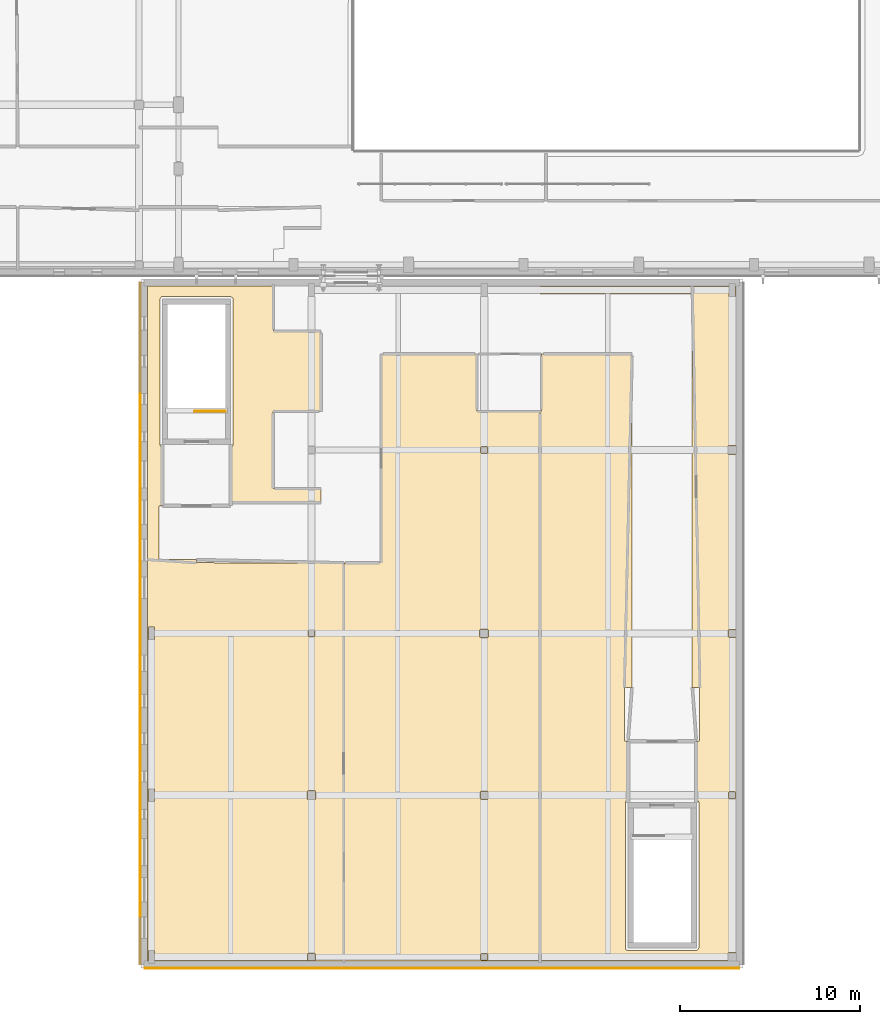
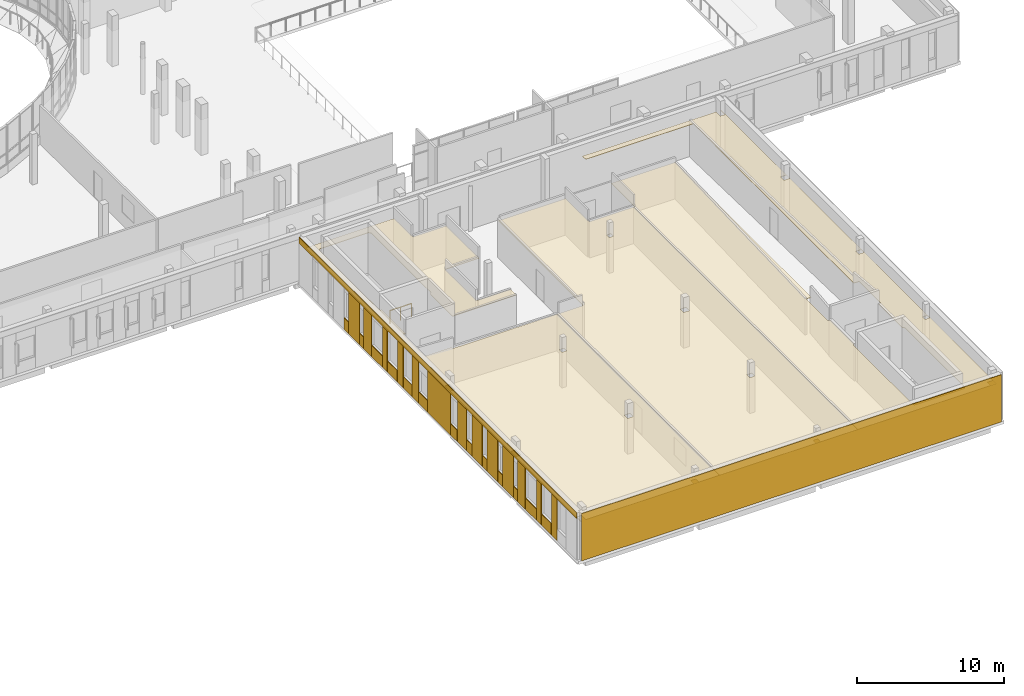
# One storey, part 68 of 84: 31 coverings, 1 railing.
"""IFC4 building model written with IfcOpenShell, lengths in metres."""

from ifc_helpers import new_model, si_unit, direction, frame, origin, origin_2d, place, context, subcontext, project, spatial, polyline, rectangle, circle, outline, extrude, material, layer, layer_set, type_object, element, save


model = new_model("IFC4")

# Units and contexts
model_context = context("Model", 3, precision=1e-05, world=origin(), true_north=direction((0.0, 1.0)))
body_context = subcontext(model_context, "Body", "Model", "MODEL_VIEW")
ifc_project = project(units=[si_unit("LENGTHUNIT", "METRE"), si_unit("AREAUNIT", "SQUARE_METRE"), si_unit("VOLUMEUNIT", "CUBIC_METRE"), si_unit("PLANEANGLEUNIT", "RADIAN"), si_unit("MASSUNIT", "GRAM", prefix="KILO")], contexts=[model_context])

# Site, building, storey
site_placement = place(None, origin())
site = spatial("IfcSite", under=ifc_project, at=site_placement, CompositionType="ELEMENT")
building_placement = place(site_placement, origin())
building = spatial("IfcBuilding", under=site, at=building_placement, Name="Mzevani Central Library", CompositionType="ELEMENT")
storey_placement = place(building_placement, frame((0.0, 0.0, 5.39990234375)))
storey = spatial("IfcBuildingStorey", under=building, at=storey_placement, Name="L01", CompositionType="ELEMENT", Elevation=5.39990234375)

# Railing
ifc_material_1 = material(Name="Brushed stainless steel rail", Category="steel")
railing_type = type_object("IfcRailingType", Name="Interior Gallery and Stair Guard 1100", PredefinedType="BALUSTRADE", material=ifc_material_1)
railing_placement = place(storey_placement, frame((116.800048828125, 34.949951171875, 0.0)))
element("IfcRailing", 1, at=railing_placement, inside=storey, type_object=railing_type, Name="L01 ST-11 top well guard 1", PredefinedType="BALUSTRADE", context=body_context, shape_type="SweptSolid", body=[
    extrude(circle(Radius=0.02392578125, at=origin_2d()), frame((0.0, 0.0, 1.076171875), z_axis=(-1.0, 0.0, 0.0), x_axis=(0.0, -1.0, 0.0)), (0.0, 0.0, 1.0), 1.699951171875),
    extrude(circle(Radius=0.02099609375, at=origin_2d()), origin(), (0.0, 0.0, 1.0), 1.052001953125),
    extrude(circle(Radius=0.02099609375, at=origin_2d()), frame((-0.85009765625, 0.0, 0.0)), (0.0, 0.0, 1.0), 1.052001953125),
    extrude(circle(Radius=0.02099609375, at=origin_2d()), frame((-1.699951171875, 0.0, 0.0)), (0.0, 0.0, 1.0), 1.052001953125),
])

# Coverings
ifc_material_2 = material(Name="Limestone ashlar cladding", Category="masonry")
ifc_layer_1 = layer(ifc_material_2, 0.050048828125, Name="Limestone Ashlar Spandrel Cladding")
ifc_layer_set_1 = layer_set([ifc_layer_1], Name="Limestone ashlar cladding")
covering_type_1 = type_object("IfcCoveringType", Name="Limestone Ashlar Spandrel Cladding", PredefinedType="CLADDING", material=ifc_layer_set_1)
covering_1_placement = place(storey_placement, frame((128.85009765625, 3.97607421875, 0.000244140625), z_axis=(0.0, 0.0, 1.0), x_axis=(-1.0, 0.0, 0.0)))
element("IfcCovering", 2, at=covering_1_placement, inside=storey, type_object=covering_type_1, Name="L01 Warm-White Facade Cladding (EW4-V6-L01-0106)", PredefinedType="CLADDING", context=body_context, shape_type="SweptSolid", body=[
    extrude(rectangle(XDim=33.080078125, YDim=0.050048828125, at=origin_2d()), origin(), (0.0, 0.0, 1.0), 3.93994140625),
])
covering_2_placement = place(storey_placement, frame((112.075927734375, 23.14990234375, 3.4501953125), z_axis=(0.0, 0.0, 1.0), x_axis=(0.0, 1.0, 0.0)))
element("IfcCovering", 3, at=covering_2_placement, inside=storey, type_object=covering_type_1, Name="L01 Warm-White Facade Spandrel (EW4-V6-L01-0107)", PredefinedType="CLADDING", context=body_context, shape_type="SweptSolid", body=[
    extrude(rectangle(XDim=37.8798828125, YDim=0.050048828125, at=origin_2d()), origin(), (0.0, 0.0, 1.0), 0.489990234375),
])
covering_3_placement = place(storey_placement, frame((112.075927734375, 7.25244140625, 0.0), z_axis=(0.0, 0.0, 1.0), x_axis=(0.0, 1.0, 0.0)))
element("IfcCovering", 4, at=covering_3_placement, inside=storey, type_object=covering_type_1, Name="L01 Warm-White Facade Pier 3 (EW4-V6-L01-0107)", PredefinedType="CLADDING", context=body_context, shape_type="SweptSolid", body=[
    extrude(rectangle(XDim=0.784912109375, YDim=0.050048828125, at=origin_2d()), origin(), (0.0, 0.0, 1.0), 3.449951171875),
])
covering_4_placement = place(storey_placement, frame((112.075927734375, 8.340087890625, 0.0), z_axis=(0.0, 0.0, 1.0), x_axis=(0.0, 1.0, 0.0)))
element("IfcCovering", 5, at=covering_4_placement, inside=storey, type_object=covering_type_1, Name="L01 Warm-White Sill Cladding 4 (EW4-V6-L01-0107)", PredefinedType="CLADDING", context=body_context, shape_type="SweptSolid", body=[
    extrude(rectangle(XDim=1.35009765625, YDim=0.050048828125, at=origin_2d()), origin(), (0.0, 0.0, 1.0), 0.949951171875),
])
covering_5_placement = place(storey_placement, frame((112.075927734375, 9.3525390625, 0.0), z_axis=(0.0, 0.0, 1.0), x_axis=(0.0, 1.0, 0.0)))
element("IfcCovering", 6, at=covering_5_placement, inside=storey, type_object=covering_type_1, Name="L01 Warm-White Facade Pier 5 (EW4-V6-L01-0107)", PredefinedType="CLADDING", context=body_context, shape_type="SweptSolid", body=[
    extrude(rectangle(XDim=0.635009765625, YDim=0.050048828125, at=origin_2d()), origin(), (0.0, 0.0, 1.0), 3.449951171875),
])
covering_6_placement = place(storey_placement, frame((112.075927734375, 10.43994140625, 0.0), z_axis=(0.0, 0.0, 1.0), x_axis=(0.0, 1.0, 0.0)))
element("IfcCovering", 7, at=covering_6_placement, inside=storey, type_object=covering_type_1, Name="L01 Warm-White Sill Cladding 6 (EW4-V6-L01-0107)", PredefinedType="CLADDING", context=body_context, shape_type="SweptSolid", body=[
    extrude(rectangle(XDim=1.5, YDim=0.050048828125, at=origin_2d()), origin(), (0.0, 0.0, 1.0), 0.949951171875),
])
covering_7_placement = place(storey_placement, frame((112.075927734375, 11.7275390625, 0.0), z_axis=(0.0, 0.0, 1.0), x_axis=(0.0, 1.0, 0.0)))
element("IfcCovering", 8, at=covering_7_placement, inside=storey, type_object=covering_type_1, Name="L01 Warm-White Facade Pier 7 (EW4-V6-L01-0107)", PredefinedType="CLADDING", context=body_context, shape_type="SweptSolid", body=[
    extrude(rectangle(XDim=1.034912109375, YDim=0.050048828125, at=origin_2d()), origin(), (0.0, 0.0, 1.0), 3.449951171875),
])
covering_8_placement = place(storey_placement, frame((112.075927734375, 12.5400390625, 0.0), z_axis=(0.0, 0.0, 1.0), x_axis=(0.0, 1.0, 0.0)))
element("IfcCovering", 9, at=covering_8_placement, inside=storey, type_object=covering_type_1, Name="L01 Warm-White Sill Cladding 8 (EW4-V6-L01-0107)", PredefinedType="CLADDING", context=body_context, shape_type="SweptSolid", body=[
    extrude(rectangle(XDim=0.550048828125, YDim=0.050048828125, at=origin_2d()), origin(), (0.0, 0.0, 1.0), 0.949951171875),
])
covering_9_placement = place(storey_placement, frame((112.075927734375, 13.577392578125, 0.0), z_axis=(0.0, 0.0, 1.0), x_axis=(0.0, 1.0, 0.0)))
element("IfcCovering", 10, at=covering_9_placement, inside=storey, type_object=covering_type_1, Name="L01 Warm-White Facade Pier 9 (EW4-V6-L01-0107)", PredefinedType="CLADDING", context=body_context, shape_type="SweptSolid", body=[
    extrude(rectangle(XDim=1.485107421875, YDim=0.050048828125, at=origin_2d()), origin(), (0.0, 0.0, 1.0), 3.449951171875),
])
covering_10_placement = place(storey_placement, frame((112.075927734375, 14.639892578125, 0.0), z_axis=(0.0, 0.0, 1.0), x_axis=(0.0, 1.0, 0.0)))
element("IfcCovering", 11, at=covering_10_placement, inside=storey, type_object=covering_type_1, Name="L01 Warm-White Sill Cladding 10 (EW4-V6-L01-0107)", PredefinedType="CLADDING", context=body_context, shape_type="SweptSolid", body=[
    extrude(rectangle(XDim=0.60009765625, YDim=0.050048828125, at=origin_2d()), origin(), (0.0, 0.0, 1.0), 0.949951171875),
])
covering_11_placement = place(storey_placement, frame((112.075927734375, 15.677490234375, 0.0), z_axis=(0.0, 0.0, 1.0), x_axis=(0.0, 1.0, 0.0)))
element("IfcCovering", 12, at=covering_11_placement, inside=storey, type_object=covering_type_1, Name="L01 Warm-White Facade Pier 11 (EW4-V6-L01-0107)", PredefinedType="CLADDING", context=body_context, shape_type="SweptSolid", body=[
    extrude(rectangle(XDim=1.43505859375, YDim=0.050048828125, at=origin_2d()), origin(), (0.0, 0.0, 1.0), 3.449951171875),
])
covering_12_placement = place(storey_placement, frame((112.075927734375, 16.739990234375, 0.0), z_axis=(0.0, 0.0, 1.0), x_axis=(0.0, 1.0, 0.0)))
element("IfcCovering", 13, at=covering_12_placement, inside=storey, type_object=covering_type_1, Name="L01 Warm-White Sill Cladding 12 (EW4-V6-L01-0107)", PredefinedType="CLADDING", context=body_context, shape_type="SweptSolid", body=[
    extrude(rectangle(XDim=0.64990234375, YDim=0.050048828125, at=origin_2d()), origin(), (0.0, 0.0, 1.0), 0.949951171875),
])
covering_13_placement = place(storey_placement, frame((112.075927734375, 17.764892578125, 0.0), z_axis=(0.0, 0.0, 1.0), x_axis=(0.0, 1.0, 0.0)))
element("IfcCovering", 14, at=covering_13_placement, inside=storey, type_object=covering_type_1, Name="L01 Warm-White Facade Pier 13 (EW4-V6-L01-0107)", PredefinedType="CLADDING", context=body_context, shape_type="SweptSolid", body=[
    extrude(rectangle(XDim=1.360107421875, YDim=0.050048828125, at=origin_2d()), origin(), (0.0, 0.0, 1.0), 3.449951171875),
])
covering_14_placement = place(storey_placement, frame((112.075927734375, 18.840087890625, 0.0), z_axis=(0.0, 0.0, 1.0), x_axis=(0.0, 1.0, 0.0)))
element("IfcCovering", 15, at=covering_14_placement, inside=storey, type_object=covering_type_1, Name="L01 Warm-White Sill Cladding 14 (EW4-V6-L01-0107)", PredefinedType="CLADDING", context=body_context, shape_type="SweptSolid", body=[
    extrude(rectangle(XDim=0.75, YDim=0.050048828125, at=origin_2d()), origin(), (0.0, 0.0, 1.0), 0.949951171875),
])
covering_15_placement = place(storey_placement, frame((112.075927734375, 19.8525390625, 0.0), z_axis=(0.0, 0.0, 1.0), x_axis=(0.0, 1.0, 0.0)))
element("IfcCovering", 16, at=covering_15_placement, inside=storey, type_object=covering_type_1, Name="L01 Warm-White Facade Pier 15 (EW4-V6-L01-0107)", PredefinedType="CLADDING", context=body_context, shape_type="SweptSolid", body=[
    extrude(rectangle(XDim=1.235107421875, YDim=0.050048828125, at=origin_2d()), origin(), (0.0, 0.0, 1.0), 3.449951171875),
])
covering_16_placement = place(storey_placement, frame((112.075927734375, 20.93994140625, 0.0), z_axis=(0.0, 0.0, 1.0), x_axis=(0.0, 1.0, 0.0)))
element("IfcCovering", 17, at=covering_16_placement, inside=storey, type_object=covering_type_1, Name="L01 Warm-White Sill Cladding 16 (EW4-V6-L01-0107)", PredefinedType="CLADDING", context=body_context, shape_type="SweptSolid", body=[
    extrude(rectangle(XDim=0.89990234375, YDim=0.050048828125, at=origin_2d()), origin(), (0.0, 0.0, 1.0), 0.949951171875),
])
covering_17_placement = place(storey_placement, frame((112.075927734375, 22.965087890625, 0.0), z_axis=(0.0, 0.0, 1.0), x_axis=(0.0, 1.0, 0.0)))
element("IfcCovering", 18, at=covering_17_placement, inside=storey, type_object=covering_type_1, Name="L01 Warm-White Facade Pier 17 (EW4-V6-L01-0107)", PredefinedType="CLADDING", context=body_context, shape_type="SweptSolid", body=[
    extrude(rectangle(XDim=3.110107421875, YDim=0.050048828125, at=origin_2d()), origin(), (0.0, 0.0, 1.0), 3.449951171875),
])
covering_18_placement = place(storey_placement, frame((112.075927734375, 25.139892578125, 0.0), z_axis=(0.0, 0.0, 1.0), x_axis=(0.0, 1.0, 0.0)))
element("IfcCovering", 19, at=covering_18_placement, inside=storey, type_object=covering_type_1, Name="L01 Warm-White Sill Cladding 18 (EW4-V6-L01-0107)", PredefinedType="CLADDING", context=body_context, shape_type="SweptSolid", body=[
    extrude(rectangle(XDim=1.199951171875, YDim=0.050048828125, at=origin_2d()), origin(), (0.0, 0.0, 1.0), 0.949951171875),
])
covering_19_placement = place(storey_placement, frame((112.075927734375, 26.18994140625, 0.0), z_axis=(0.0, 0.0, 1.0), x_axis=(0.0, 1.0, 0.0)))
element("IfcCovering", 20, at=covering_19_placement, inside=storey, type_object=covering_type_1, Name="L01 Warm-White Facade Pier 19 (EW4-V6-L01-0107)", PredefinedType="CLADDING", context=body_context, shape_type="SweptSolid", body=[
    extrude(rectangle(XDim=0.860107421875, YDim=0.050048828125, at=origin_2d()), origin(), (0.0, 0.0, 1.0), 3.449951171875),
])
covering_20_placement = place(storey_placement, frame((112.075927734375, 27.239990234375, 0.0), z_axis=(0.0, 0.0, 1.0), x_axis=(0.0, 1.0, 0.0)))
element("IfcCovering", 21, at=covering_20_placement, inside=storey, type_object=covering_type_1, Name="L01 Warm-White Sill Cladding 20 (EW4-V6-L01-0107)", PredefinedType="CLADDING", context=body_context, shape_type="SweptSolid", body=[
    extrude(rectangle(XDim=1.199951171875, YDim=0.050048828125, at=origin_2d()), origin(), (0.0, 0.0, 1.0), 0.949951171875),
])
covering_21_placement = place(storey_placement, frame((112.075927734375, 28.25244140625, 0.0), z_axis=(0.0, 0.0, 1.0), x_axis=(0.0, 1.0, 0.0)))
element("IfcCovering", 22, at=covering_21_placement, inside=storey, type_object=covering_type_1, Name="L01 Warm-White Facade Pier 21 (EW4-V6-L01-0107)", PredefinedType="CLADDING", context=body_context, shape_type="SweptSolid", body=[
    extrude(rectangle(XDim=0.784912109375, YDim=0.050048828125, at=origin_2d()), origin(), (0.0, 0.0, 1.0), 3.449951171875),
])
covering_22_placement = place(storey_placement, frame((112.075927734375, 29.340087890625, 0.0), z_axis=(0.0, 0.0, 1.0), x_axis=(0.0, 1.0, 0.0)))
element("IfcCovering", 23, at=covering_22_placement, inside=storey, type_object=covering_type_1, Name="L01 Warm-White Sill Cladding 22 (EW4-V6-L01-0107)", PredefinedType="CLADDING", context=body_context, shape_type="SweptSolid", body=[
    extrude(rectangle(XDim=1.35009765625, YDim=0.050048828125, at=origin_2d()), origin(), (0.0, 0.0, 1.0), 0.949951171875),
])
covering_23_placement = place(storey_placement, frame((112.075927734375, 30.3525390625, 0.0), z_axis=(0.0, 0.0, 1.0), x_axis=(0.0, 1.0, 0.0)))
element("IfcCovering", 24, at=covering_23_placement, inside=storey, type_object=covering_type_1, Name="L01 Warm-White Facade Pier 23 (EW4-V6-L01-0107)", PredefinedType="CLADDING", context=body_context, shape_type="SweptSolid", body=[
    extrude(rectangle(XDim=0.635009765625, YDim=0.050048828125, at=origin_2d()), origin(), (0.0, 0.0, 1.0), 3.449951171875),
])
covering_24_placement = place(storey_placement, frame((112.075927734375, 31.43994140625, 0.0), z_axis=(0.0, 0.0, 1.0), x_axis=(0.0, 1.0, 0.0)))
element("IfcCovering", 25, at=covering_24_placement, inside=storey, type_object=covering_type_1, Name="L01 Warm-White Sill Cladding 24 (EW4-V6-L01-0107)", PredefinedType="CLADDING", context=body_context, shape_type="SweptSolid", body=[
    extrude(rectangle(XDim=1.5, YDim=0.050048828125, at=origin_2d()), origin(), (0.0, 0.0, 1.0), 0.949951171875),
])
covering_25_placement = place(storey_placement, frame((112.075927734375, 32.7275390625, 0.0), z_axis=(0.0, 0.0, 1.0), x_axis=(0.0, 1.0, 0.0)))
element("IfcCovering", 26, at=covering_25_placement, inside=storey, type_object=covering_type_1, Name="L01 Warm-White Facade Pier 25 (EW4-V6-L01-0107)", PredefinedType="CLADDING", context=body_context, shape_type="SweptSolid", body=[
    extrude(rectangle(XDim=1.034912109375, YDim=0.050048828125, at=origin_2d()), origin(), (0.0, 0.0, 1.0), 3.449951171875),
])
covering_26_placement = place(storey_placement, frame((112.075927734375, 33.5400390625, 0.0), z_axis=(0.0, 0.0, 1.0), x_axis=(0.0, 1.0, 0.0)))
element("IfcCovering", 27, at=covering_26_placement, inside=storey, type_object=covering_type_1, Name="L01 Warm-White Sill Cladding 26 (EW4-V6-L01-0107)", PredefinedType="CLADDING", context=body_context, shape_type="SweptSolid", body=[
    extrude(rectangle(XDim=0.550048828125, YDim=0.050048828125, at=origin_2d()), origin(), (0.0, 0.0, 1.0), 0.949951171875),
])
covering_27_placement = place(storey_placement, frame((112.075927734375, 34.577392578125, 0.0), z_axis=(0.0, 0.0, 1.0), x_axis=(0.0, 1.0, 0.0)))
element("IfcCovering", 28, at=covering_27_placement, inside=storey, type_object=covering_type_1, Name="L01 Warm-White Facade Pier 27 (EW4-V6-L01-0107)", PredefinedType="CLADDING", context=body_context, shape_type="SweptSolid", body=[
    extrude(rectangle(XDim=1.485107421875, YDim=0.050048828125, at=origin_2d()), origin(), (0.0, 0.0, 1.0), 3.449951171875),
])
covering_28_placement = place(storey_placement, frame((112.075927734375, 35.639892578125, 0.0), z_axis=(0.0, 0.0, 1.0), x_axis=(0.0, 1.0, 0.0)))
element("IfcCovering", 29, at=covering_28_placement, inside=storey, type_object=covering_type_1, Name="L01 Warm-White Sill Cladding 28 (EW4-V6-L01-0107)", PredefinedType="CLADDING", context=body_context, shape_type="SweptSolid", body=[
    extrude(rectangle(XDim=0.60009765625, YDim=0.050048828125, at=origin_2d()), origin(), (0.0, 0.0, 1.0), 0.949951171875),
])
ifc_material_3 = material(Name="Mineral wool acoustic ceiling")
ifc_layer_2 = layer(ifc_material_3, 0.0400390625, Name="Perforated Timber Acoustic Ceiling")
ifc_layer_set_2 = layer_set([ifc_layer_2], Name="Mineral wool acoustic ceiling")
covering_type_2 = type_object("IfcCoveringType", Name="Perforated Timber Acoustic Ceiling", PredefinedType="CEILING", material=ifc_layer_set_2)
covering_29_placement = place(storey_placement, frame((0.0, 0.0, 2.9501953125)))
element("IfcCovering", 30, at=covering_29_placement, inside=storey, type_object=covering_type_2, Name="L01 Young Adult Reading Lounge Acoustic Ceiling", PredefinedType="CEILING", context=body_context, shape_type="SweptSolid", body=[
    extrude(outline(polyline([(122.1298828125, 34.949951171875), (119.4599609375, 34.93994140625), (119.4599609375, 30.659912109375), (122.122802734375, 30.65966796875), (122.127197265625, 29.872802734375), (117.094482421875, 29.87158203125), (117.090087890625, 32.949951171875), (117.198486328125, 33.001708984375), (117.239990234375, 33.10205078125), (117.2333984375, 41.238525390625), (117.0966796875, 41.340087890625), (113.261474609375, 41.33349609375), (113.159912109375, 41.19677734375), (113.159912109375, 33.10205078125), (113.20166015625, 33.001708984375), (113.31005859375, 32.949951171875), (113.31005859375, 29.699951171875), (113.110107421875, 29.68994140625), (113.110107421875, 26.7099609375), (115.200927734375, 26.7099609375), (115.2099609375, 26.530029296875), (123.40283203125, 26.52294921875), (123.4033203125, 4.3798828125), (112.875, 4.3701171875), (112.875, 4.949951171875), (112.52490234375, 4.949951171875), (112.52490234375, 4.3701171875), (112.47705078125, 4.370361328125), (112.4716796875, 41.925537109375), (119.480712890625, 41.92822265625), (119.485107421875, 39.409912109375), (122.129150390625, 39.40380859375), (122.1298828125, 34.949951171875)]), holes=[polyline([(112.875, 13.949951171875), (112.52490234375, 13.949951171875), (112.52490234375, 13.25), (112.875, 13.25), (112.875, 13.949951171875)]), polyline([(112.875, 22.25), (112.875, 22.949951171875), (112.52490234375, 22.949951171875), (112.52490234375, 22.25), (112.875, 22.25)]), polyline([(121.39990234375, 4.39990234375), (121.800048828125, 4.39990234375), (121.800048828125, 4.800048828125), (121.39990234375, 4.800048828125), (121.39990234375, 4.39990234375)]), polyline([(121.375, 13.824951171875), (121.375, 13.375), (121.824951171875, 13.375), (121.824951171875, 13.824951171875), (121.375, 13.824951171875)]), polyline([(121.77490234375, 22.77490234375), (121.425048828125, 22.77490234375), (121.425048828125, 22.425048828125), (121.77490234375, 22.425048828125), (121.77490234375, 22.77490234375)])]), origin(), (0.0, 0.0, 1.0), 0.039794921875),
])
covering_30_placement = place(storey_placement, frame((0.0, 0.0, 2.9501953125)))
element("IfcCovering", 31, at=covering_30_placement, inside=storey, type_object=covering_type_2, Name="L01 STEM Discovery Workshop Acoustic Ceiling", PredefinedType="CEILING", context=body_context, shape_type="SweptSolid", body=[
    extrude(outline(polyline([(125.47900390625, 38.14990234375), (130.793701171875, 38.149169921875), (130.800048828125, 34.949951171875), (134.31640625, 34.94287109375), (134.3095703125, 4.370361328125), (123.3837890625, 4.377197265625), (123.38330078125, 26.52099609375), (125.469970703125, 26.530029296875), (125.47900390625, 38.14990234375)]), holes=[polyline([(131.375, 4.425048828125), (131.375, 4.77490234375), (131.02490234375, 4.77490234375), (131.02490234375, 4.425048828125), (131.375, 4.425048828125)]), polyline([(131.0, 13.39990234375), (131.39990234375, 13.39990234375), (131.39990234375, 13.800048828125), (131.0, 13.800048828125), (131.0, 13.39990234375)]), polyline([(130.97509765625, 22.824951171875), (130.97509765625, 22.375), (131.425048828125, 22.375), (131.425048828125, 22.824951171875), (130.97509765625, 22.824951171875)]), polyline([(131.375, 32.97509765625), (131.02490234375, 32.97509765625), (131.02490234375, 32.625), (131.375, 32.625), (131.375, 32.97509765625)])]), origin(), (0.0, 0.0, 1.0), 0.039794921875),
])
covering_31_placement = place(storey_placement, frame((0.0, 0.0, 2.9501953125)))
element("IfcCovering", 32, at=covering_31_placement, inside=storey, type_object=covering_type_2, Name="L01 Children's Arts and Craft Studio Acoustic Ceiling", PredefinedType="CEILING", context=body_context, shape_type="SweptSolid", body=[
    extrude(outline(polyline([(134.389892578125, 38.14990234375), (139.4296875, 38.142822265625), (139.429931640625, 19.60009765625), (139.010009765625, 19.590087890625), (139.010009765625, 16.610107421875), (139.2099609375, 16.60009765625), (139.2099609375, 13.35009765625), (139.1015625, 13.29833984375), (139.06005859375, 13.197998046875), (139.060791015625, 5.08740234375), (139.101318359375, 5.001708984375), (139.201904296875, 4.9599609375), (143.03857421875, 4.966552734375), (143.139892578125, 5.103271484375), (143.139892578125, 13.197998046875), (143.098388671875, 13.29833984375), (142.989990234375, 13.35009765625), (142.989990234375, 16.60009765625), (143.18994140625, 16.610107421875), (143.18994140625, 19.590087890625), (142.77001953125, 19.60009765625), (142.77001953125, 41.489990234375), (134.3056640625, 41.489990234375), (134.296630859375, 41.9208984375), (144.824951171875, 41.929931640625), (144.824951171875, 41.35009765625), (145.175048828125, 41.35009765625), (145.175048828125, 41.929931640625), (145.2294921875, 41.9228515625), (145.22998046875, 4.3798828125), (145.222900390625, 4.370361328125), (134.297119140625, 4.377197265625), (134.296630859375, 34.93994140625), (134.3798828125, 34.949951171875), (134.389892578125, 38.14990234375)]), holes=[polyline([(145.22509765625, 4.824951171875), (144.77490234375, 4.824951171875), (144.77490234375, 4.375), (145.22509765625, 4.375), (145.22509765625, 4.824951171875)]), polyline([(145.175048828125, 13.425048828125), (145.175048828125, 13.77490234375), (144.824951171875, 13.77490234375), (144.824951171875, 13.425048828125), (145.175048828125, 13.425048828125)]), polyline([(144.800048828125, 22.39990234375), (145.199951171875, 22.39990234375), (145.199951171875, 22.800048828125), (144.800048828125, 22.800048828125), (144.800048828125, 22.39990234375)]), polyline([(144.77490234375, 33.02490234375), (144.77490234375, 32.574951171875), (145.22509765625, 32.574951171875), (145.22509765625, 33.02490234375), (144.77490234375, 33.02490234375)])]), origin(), (0.0, 0.0, 1.0), 0.039794921875),
])

save(model, "model.ifc")
